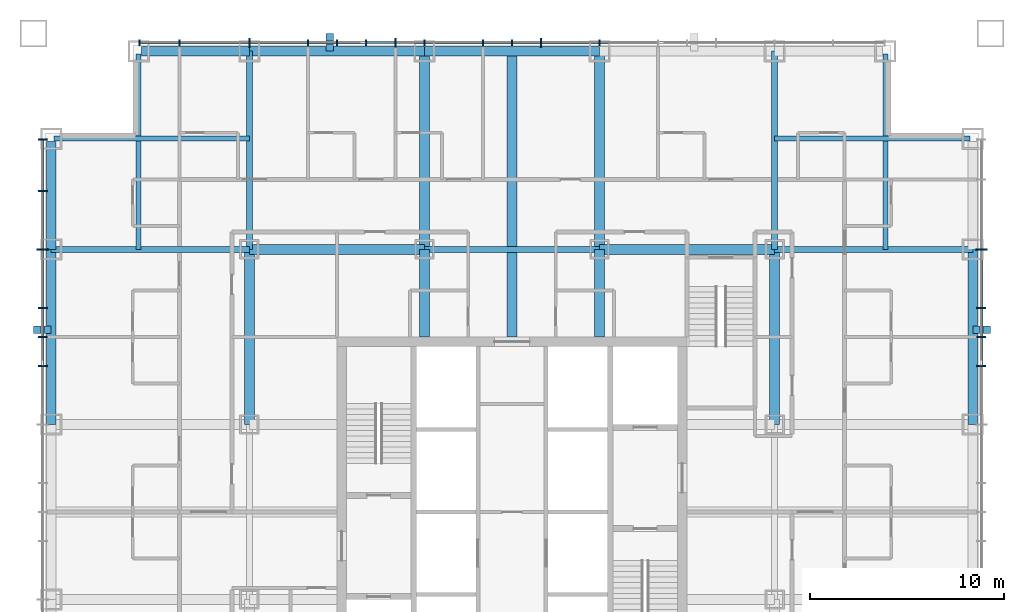
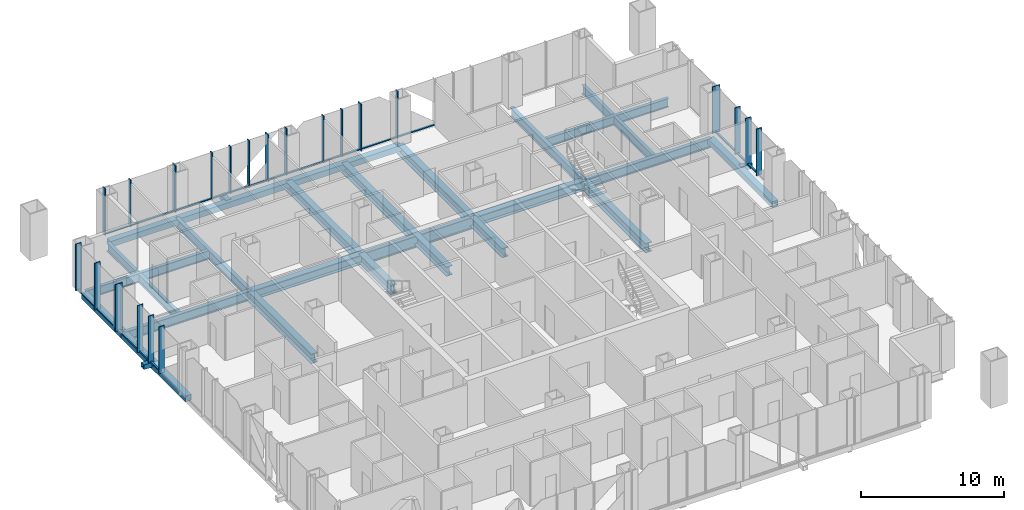
# One storey, part 5 of 18: 45 members, 24 beams, 3 elements without a shape of their own.
"""IFC4 building model written with IfcOpenShell, lengths in metres."""

import ifcopenshell
import ifcopenshell.guid

model = None  # the IFC model being written
_history = None  # IfcOwnerHistory: only IFC2X3 demands one
_inside = {}  # id of a spatial element -> (the spatial element, [elements in it])
_under = {}  # id of a project, library or spatial element -> (it, [spatial elements below it])
_declared = {}  # id of a project -> (the project, [libraries it declares])
_typed = {}  # id of a type object -> (the type object, [elements of that type])
_made_of = {}  # id of a material, layer set ... -> (it, [elements and type objects made of it])


def new_model(schema):
    """Start an empty IFC model of exactly this schema.

    Asked for "IFC4X3", IfcOpenShell would pick the latest addendum, in which some entities
    have other attributes; the version numbers below select the first issue.
    IFC2X3 requires an IfcOwnerHistory on every rooted entity: one is made here for all.
    """
    global model, _history
    if schema == "IFC4X3":
        model = ifcopenshell.file(schema_version=(4, 3, 0, 0))
    else:
        model = ifcopenshell.file(schema=schema)
    _inside.clear()
    _under.clear()
    _declared.clear()
    _typed.clear()
    _made_of.clear()
    _history = None
    if model.schema == "IFC2X3":
        org = make("IfcOrganization", Name="unknown")
        user = make(
            "IfcPersonAndOrganization",
            ThePerson=make("IfcPerson", FamilyName="unknown"),
            TheOrganization=org,
        )
        app = make(
            "IfcApplication",
            ApplicationDeveloper=org,
            Version="unknown",
            ApplicationFullName="unknown",
            ApplicationIdentifier="unknown",
        )
        _history = make(
            "IfcOwnerHistory",
            OwningUser=user,
            OwningApplication=app,
            ChangeAction="ADDED",
            CreationDate=0,
        )
    return model


def make(cls, **values):
    """One entity of the class cls with the attributes given. An attribute that is None is left unset."""
    return model.create_entity(
        cls, **{name: value for name, value in values.items() if value is not None}
    )


def rooted(cls, **values):
    """An entity with a GlobalId (a new one), such as an element, a storey or a relation."""
    return make(cls, GlobalId=ifcopenshell.guid.new(), OwnerHistory=_history, **values)


def si_unit(unit_type, name, prefix=None):
    """IfcSIUnit, for example si_unit("LENGTHUNIT", "METRE", prefix="MILLI")."""
    return make("IfcSIUnit", UnitType=unit_type, Prefix=prefix, Name=name)


def assignment(units):
    """IfcUnitAssignment: the units of a project."""
    return None if units is None else make("IfcUnitAssignment", Units=units)


def point(xyz):
    """IfcCartesianPoint."""
    return None if xyz is None else make("IfcCartesianPoint", Coordinates=xyz)


def direction(xyz):
    """IfcDirection."""
    return None if xyz is None else make("IfcDirection", DirectionRatios=xyz)


def frame(location, z_axis=None, x_axis=None):
    """IfcAxis2Placement3D, a coordinate frame: its origin and axes. An axis left out is left unset."""
    return make(
        "IfcAxis2Placement3D",
        Location=point(location),
        Axis=direction(z_axis),
        RefDirection=direction(x_axis),
    )


def frame_2d(location, x_axis=None):
    """IfcAxis2Placement2D, a coordinate frame in the plane: its origin and x axis."""
    return make(
        "IfcAxis2Placement2D", Location=point(location), RefDirection=direction(x_axis)
    )


def origin():
    """The frame at (0, 0, 0) with its axes left unset."""
    return frame((0.0, 0.0, 0.0))


def origin_2d():
    """The frame at (0, 0) in the plane with its x axis left unset."""
    return frame_2d((0.0, 0.0))


def place(relative_to, where):
    """IfcLocalPlacement: puts the frame where relative to a parent placement (None: the world)."""
    return make(
        "IfcLocalPlacement", PlacementRelTo=relative_to, RelativePlacement=where
    )


def context(
    kind, dimensions, precision=None, world=None, true_north=None, identifier=None
):
    """IfcGeometricRepresentationContext, for example the 3D "Model" context."""
    return make(
        "IfcGeometricRepresentationContext",
        ContextIdentifier=identifier,
        ContextType=kind,
        CoordinateSpaceDimension=dimensions,
        Precision=precision,
        WorldCoordinateSystem=world,
        TrueNorth=true_north,
    )


def subcontext(parent, identifier, kind, view, scale=None):
    """IfcGeometricRepresentationSubContext, for example "Body" below "Model"."""
    return make(
        "IfcGeometricRepresentationSubContext",
        ContextIdentifier=identifier,
        ContextType=kind,
        ParentContext=parent,
        TargetScale=scale,
        TargetView=view,
    )


def project(units=None, contexts=None):
    """IfcProject with its units and contexts."""
    return rooted(
        "IfcProject",
        Name="project",
        RepresentationContexts=contexts,
        UnitsInContext=assignment(units),
    )


def spatial(cls, under=None, at=None, **own):
    """A site, building, storey or space (cls), placed at a placement, below another one or the project."""
    s = rooted(cls, ObjectPlacement=at, **own)
    if under is not None:
        _under.setdefault(under.id(), (under, []))[1].append(s)
    return s


def profile(cls, at=None, kind="AREA", **sizes):
    """A parametric profile (cls). Its sizes go by their IFC names, for example OverallWidth=200.0."""
    return make(cls, ProfileType=kind, Position=at, **sizes)


def rectangle(**sizes):
    """IfcRectangleProfileDef."""
    return profile("IfcRectangleProfileDef", **sizes)


def hollow_rectangle(**sizes):
    """IfcRectangleHollowProfileDef."""
    return profile("IfcRectangleHollowProfileDef", **sizes)


def i_section(**sizes):
    """IfcIShapeProfileDef."""
    return profile("IfcIShapeProfileDef", **sizes)


def extrude(swept, where, along, depth):
    """IfcExtrudedAreaSolid: the profile swept, set in the frame where, extruded along a direction by depth."""
    return make(
        "IfcExtrudedAreaSolid",
        SweptArea=swept,
        Position=where,
        ExtrudedDirection=direction(along),
        Depth=depth,
    )


def shape(context_of_items, identifier, shape_type, items):
    """IfcShapeRepresentation: the items that make up one representation, for example the "Body"."""
    return make(
        "IfcShapeRepresentation",
        ContextOfItems=context_of_items,
        RepresentationIdentifier=identifier,
        RepresentationType=shape_type,
        Items=items,
    )


def material(Name=None, Category=None):
    """IfcMaterial."""
    return make("IfcMaterial", Name=Name, Category=Category)


def layer(
    of_material, thickness, ventilated=None, Name=None, Category=None, Priority=None
):
    """IfcMaterialLayer: one layer of a wall or slab, of a material (None: an air gap)."""
    return make(
        "IfcMaterialLayer",
        Material=of_material,
        LayerThickness=thickness,
        IsVentilated=ventilated,
        Name=Name,
        Category=Category,
        Priority=Priority,
    )


def layer_set(layers, Name=None):
    """IfcMaterialLayerSet."""
    return make("IfcMaterialLayerSet", MaterialLayers=layers, LayerSetName=Name)


def material_profile(
    of_material, cross_section, Name=None, Category=None, Priority=None
):
    """IfcMaterialProfile: a cross section and its material."""
    return make(
        "IfcMaterialProfile",
        Name=Name,
        Material=of_material,
        Profile=cross_section,
        Priority=Priority,
        Category=Category,
    )


def profile_set(profiles, Name=None, composite=None):
    """IfcMaterialProfileSet."""
    return make(
        "IfcMaterialProfileSet",
        Name=Name,
        MaterialProfiles=profiles,
        CompositeProfile=composite,
    )


def made_of(thing, what):
    """Note that an element or type object is made of a material, layer set ...; save() writes the relation."""
    if what is not None:
        _made_of.setdefault(what.id(), (what, []))[1].append(thing)
    return thing


def type_object(cls, material=None, **own):
    """A type object (cls), such as IfcWallType, which elements share."""
    return made_of(rooted(cls, **own), material)


def element(
    cls,
    number,
    at=None,
    inside=None,
    cuts=None,
    type_object=None,
    material=None,
    context=None,
    identifier="Body",
    shape_type=None,
    held_by="IfcProductDefinitionShape",
    body=None,
    shapes=None,
    **own,
):
    """One element of the class cls, such as IfcWall. Its Tag is "e" and its number.

    at: its placement. inside: the storey or other place that contains it. cuts: it is an
    opening in that element (IfcRelVoidsElement). A single representation is given by context,
    identifier, shape_type and body (its items); several are given by shapes. held_by: the class
    of the entity that holds the representations. save() writes the other relations.
    """
    e = rooted(cls, Tag="e%d" % number, ObjectPlacement=at, **own)
    if body is not None:
        shapes = [shape(context, identifier, shape_type, body)]
    if shapes is not None:
        e.Representation = make(held_by, Representations=shapes)
    if inside is not None:
        _inside.setdefault(inside.id(), (inside, []))[1].append(e)
    if cuts is not None:
        rooted(
            "IfcRelVoidsElement", RelatingBuildingElement=cuts, RelatedOpeningElement=e
        )
    if type_object is not None:
        _typed.setdefault(type_object.id(), (type_object, []))[1].append(e)
    return made_of(e, material)


def aggregate(whole, parts):
    """IfcRelAggregates: a whole, such as a stair, and the parts it consists of."""
    return rooted("IfcRelAggregates", RelatingObject=whole, RelatedObjects=parts)


def save(model, path):
    """Write the relations noted so far, then the file.

    IfcRelAggregates (storeys below a building ...), IfcRelContainedInSpatialStructure (elements
    in a storey), IfcRelDefinesByType, IfcRelAssociatesMaterial and IfcRelDeclares: one each for
    every whole, place, type object, material and project.
    """
    for whole, parts in _under.values():
        aggregate(whole, parts)
    for where, things in _inside.values():
        rooted(
            "IfcRelContainedInSpatialStructure",
            RelatedElements=things,
            RelatingStructure=where,
        )
    for kind, things in _typed.values():
        rooted("IfcRelDefinesByType", RelatedObjects=things, RelatingType=kind)
    for what, things in _made_of.values():
        rooted("IfcRelAssociatesMaterial", RelatedObjects=things, RelatingMaterial=what)
    for by, libraries in _declared.values():
        rooted("IfcRelDeclares", RelatingContext=by, RelatedDefinitions=libraries)
    model.write(path)


model = new_model("IFC4")

# Units and contexts
model_context = context("Model", 3, precision=1e-05, world=origin(), true_north=direction((0.0, 1.0)))
body_context = subcontext(model_context, "Body", "Model", "MODEL_VIEW")
ifc_project = project(units=[si_unit("LENGTHUNIT", "METRE"), si_unit("AREAUNIT", "SQUARE_METRE"), si_unit("VOLUMEUNIT", "CUBIC_METRE"), si_unit("PLANEANGLEUNIT", "RADIAN"), si_unit("MASSUNIT", "GRAM", prefix="KILO")], contexts=[model_context])

# Site, building, storey
site_placement = place(None, origin())
site = spatial("IfcSite", under=ifc_project, at=site_placement, CompositionType="ELEMENT")
building_placement = place(site_placement, origin())
building = spatial("IfcBuilding", under=site, at=building_placement, Name="Malebo Sky Hospital", CompositionType="ELEMENT")
storey_placement = place(building_placement, frame((0.0, 0.0, 112.0)))
storey = spatial("IfcBuildingStorey", under=building, at=storey_placement, Name="L26", CompositionType="ELEMENT", Elevation=112.0)

# Curtain wall, members
ifc_material_1 = material(Name="Anodised aluminium, natural silver", Category="aluminium")
ifc_layer_1 = layer(ifc_material_1, 0.25)
ifc_layer_set_1 = layer_set([ifc_layer_1], Name="WARD CURTAIN WALL NORTH AND SOUTH")
curtain_wall_type_1 = type_object("IfcCurtainWallType", Name="WARD CURTAIN WALL NORTH AND SOUTH", PredefinedType="NOTDEFINED", material=ifc_layer_set_1)
curtain_wall_1_placement = place(storey_placement, origin())
curtain_wall_1 = element("IfcCurtainWall", 1, at=curtain_wall_1_placement, inside=storey, type_object=curtain_wall_type_1, Name="NS curtain wall N", PredefinedType="NOTDEFINED")
ifc_material_profile_1 = material_profile(ifc_material_1, rectangle(XDim=0.14990234375, YDim=0.10009765625, at=origin_2d()), Name="ALUMINIUM TRANSOM 150x100")
ifc_profile_set_1 = profile_set([ifc_material_profile_1], Name="Anodised aluminium, natural silver")
member_type_1 = type_object("IfcMemberType", Name="ALUMINIUM TRANSOM 150x100", PredefinedType="USERDEFINED", material=ifc_profile_set_1)
member_1_placement = place(storey_placement, frame((40.875, 86.135009765625, 0.050048828125), z_axis=(1.0, 0.0, 0.0), x_axis=(0.0, 1.0, 0.0)))
member_1 = element("IfcMember", 2, at=member_1_placement, type_object=member_type_1, Name="Transom 1", ObjectType="TRANSOM", PredefinedType="USERDEFINED", context=body_context, shape_type="SweptSolid", body=[
    extrude(rectangle(XDim=0.14990234375, YDim=0.10009765625, at=origin_2d()), origin(), (0.0, 0.0, 1.0), 1.987548828125),
])
member_2_placement = place(storey_placement, frame((42.9375, 86.135009765625, 0.050048828125), z_axis=(1.0, 0.0, 0.0), x_axis=(0.0, 1.0, 0.0)))
member_2 = element("IfcMember", 3, at=member_2_placement, type_object=member_type_1, Name="Transom 2", ObjectType="TRANSOM", PredefinedType="USERDEFINED", context=body_context, shape_type="SweptSolid", body=[
    extrude(rectangle(XDim=0.14990234375, YDim=0.10009765625, at=origin_2d()), origin(), (0.0, 0.0, 1.0), 3.52490234375),
])
member_3_placement = place(storey_placement, frame((46.53759765625, 86.135009765625, 0.050048828125), z_axis=(1.0, 0.0, 0.0), x_axis=(0.0, 1.0, 0.0)))
member_3 = element("IfcMember", 4, at=member_3_placement, type_object=member_type_1, Name="Transom 3", ObjectType="TRANSOM", PredefinedType="USERDEFINED", context=body_context, shape_type="SweptSolid", body=[
    extrude(rectangle(XDim=0.14990234375, YDim=0.10009765625, at=origin_2d()), origin(), (0.0, 0.0, 1.0), 2.9248046875),
])
member_4_placement = place(storey_placement, frame((49.53759765625, 86.135009765625, 0.050048828125), z_axis=(1.0, 0.0, 0.0), x_axis=(0.0, 1.0, 0.0)))
member_4 = element("IfcMember", 5, at=member_4_placement, type_object=member_type_1, Name="Transom 4", ObjectType="TRANSOM", PredefinedType="USERDEFINED", context=body_context, shape_type="SweptSolid", body=[
    extrude(rectangle(XDim=0.14990234375, YDim=0.10009765625, at=origin_2d()), origin(), (0.0, 0.0, 1.0), 1.4248046875),
])
member_5_placement = place(storey_placement, frame((51.03759765625, 86.135009765625, 0.050048828125), z_axis=(1.0, 0.0, 0.0), x_axis=(0.0, 1.0, 0.0)))
member_5 = element("IfcMember", 6, at=member_5_placement, type_object=member_type_1, Name="Transom 5", ObjectType="TRANSOM", PredefinedType="USERDEFINED", context=body_context, shape_type="SweptSolid", body=[
    extrude(rectangle(XDim=0.14990234375, YDim=0.10009765625, at=origin_2d()), origin(), (0.0, 0.0, 1.0), 1.4248046875),
])
member_6_placement = place(storey_placement, frame((52.53759765625, 86.135009765625, 0.050048828125), z_axis=(1.0, 0.0, 0.0), x_axis=(0.0, 1.0, 0.0)))
member_6 = element("IfcMember", 7, at=member_6_placement, type_object=member_type_1, Name="Transom 6", ObjectType="TRANSOM", PredefinedType="USERDEFINED", context=body_context, shape_type="SweptSolid", body=[
    extrude(rectangle(XDim=0.14990234375, YDim=0.10009765625, at=origin_2d()), origin(), (0.0, 0.0, 1.0), 1.4248046875),
])
member_7_placement = place(storey_placement, frame((54.03759765625, 86.135009765625, 0.050048828125), z_axis=(1.0, 0.0, 0.0), x_axis=(0.0, 1.0, 0.0)))
member_7 = element("IfcMember", 8, at=member_7_placement, type_object=member_type_1, Name="Transom 7", ObjectType="TRANSOM", PredefinedType="USERDEFINED", context=body_context, shape_type="SweptSolid", body=[
    extrude(rectangle(XDim=0.14990234375, YDim=0.10009765625, at=origin_2d()), origin(), (0.0, 0.0, 1.0), 1.4248046875),
])
member_8_placement = place(storey_placement, frame((55.53759765625, 86.135009765625, 0.050048828125), z_axis=(1.0, 0.0, 0.0), x_axis=(0.0, 1.0, 0.0)))
member_8 = element("IfcMember", 9, at=member_8_placement, type_object=member_type_1, Name="Transom 8", ObjectType="TRANSOM", PredefinedType="USERDEFINED", context=body_context, shape_type="SweptSolid", body=[
    extrude(rectangle(XDim=0.14990234375, YDim=0.10009765625, at=origin_2d()), origin(), (0.0, 0.0, 1.0), 2.9248046875),
])
member_9_placement = place(storey_placement, frame((58.53759765625, 86.135009765625, 0.050048828125), z_axis=(1.0, 0.0, 0.0), x_axis=(0.0, 1.0, 0.0)))
member_9 = element("IfcMember", 10, at=member_9_placement, type_object=member_type_1, Name="Transom 9", ObjectType="TRANSOM", PredefinedType="USERDEFINED", context=body_context, shape_type="SweptSolid", body=[
    extrude(rectangle(XDim=0.14990234375, YDim=0.10009765625, at=origin_2d()), origin(), (0.0, 0.0, 1.0), 1.4248046875),
])
member_10_placement = place(storey_placement, frame((60.03759765625, 86.135009765625, 0.050048828125), z_axis=(1.0, 0.0, 0.0), x_axis=(0.0, 1.0, 0.0)))
member_10 = element("IfcMember", 11, at=member_10_placement, type_object=member_type_1, Name="Transom 10", ObjectType="TRANSOM", PredefinedType="USERDEFINED", context=body_context, shape_type="SweptSolid", body=[
    extrude(rectangle(XDim=0.14990234375, YDim=0.10009765625, at=origin_2d()), origin(), (0.0, 0.0, 1.0), 1.4248046875),
])
member_11_placement = place(storey_placement, frame((61.53759765625, 86.135009765625, 0.050048828125), z_axis=(1.0, 0.0, 0.0), x_axis=(0.0, 1.0, 0.0)))
member_11 = element("IfcMember", 12, at=member_11_placement, type_object=member_type_1, Name="Transom 11", ObjectType="TRANSOM", PredefinedType="USERDEFINED", context=body_context, shape_type="SweptSolid", body=[
    extrude(rectangle(XDim=0.14990234375, YDim=0.10009765625, at=origin_2d()), origin(), (0.0, 0.0, 1.0), 2.9248046875),
])
member_12_placement = place(storey_placement, frame((64.53759765625, 86.135009765625, 0.050048828125), z_axis=(1.0, 0.0, 0.0), x_axis=(0.0, 1.0, 0.0)))
member_12 = element("IfcMember", 13, at=member_12_placement, type_object=member_type_1, Name="Transom 12", ObjectType="TRANSOM", PredefinedType="USERDEFINED", context=body_context, shape_type="SweptSolid", body=[
    extrude(rectangle(XDim=0.14990234375, YDim=0.10009765625, at=origin_2d()), origin(), (0.0, 0.0, 1.0), 2.9248046875),
])

ifc_layer_2 = layer(ifc_material_1, 0.25)
ifc_layer_set_2 = layer_set([ifc_layer_2], Name="WARD CURTAIN WALL EAST AND WEST")
curtain_wall_type_2 = type_object("IfcCurtainWallType", Name="WARD CURTAIN WALL EAST AND WEST", PredefinedType="NOTDEFINED", material=ifc_layer_set_2)
curtain_wall_2_placement = place(storey_placement, origin())
curtain_wall_2 = element("IfcCurtainWall", 14, at=curtain_wall_2_placement, inside=storey, type_object=curtain_wall_type_2, Name="EW curtain wall W", PredefinedType="NOTDEFINED")
member_13_placement = place(storey_placement, frame((35.864990234375, 69.53759765625, 0.050048828125), z_axis=(0.0, 1.0, 0.0), x_axis=(-1.0, 0.0, 0.0)))
member_13 = element("IfcMember", 15, at=member_13_placement, type_object=member_type_1, Name="Transom 12", ObjectType="TRANSOM", PredefinedType="USERDEFINED", context=body_context, shape_type="SweptSolid", body=[
    extrude(rectangle(XDim=0.14990234375, YDim=0.10009765625, at=origin_2d()), origin(), (0.0, 0.0, 1.0), 1.4248046875),
])
member_14_placement = place(storey_placement, frame((35.864990234375, 71.03759765625, 0.050048828125), z_axis=(0.0, 1.0, 0.0), x_axis=(-1.0, 0.0, 0.0)))
member_14 = element("IfcMember", 16, at=member_14_placement, type_object=member_type_1, Name="Transom 13", ObjectType="TRANSOM", PredefinedType="USERDEFINED", context=body_context, shape_type="SweptSolid", body=[
    extrude(rectangle(XDim=0.14990234375, YDim=0.10009765625, at=origin_2d()), origin(), (0.0, 0.0, 1.0), 1.4248046875),
])
member_15_placement = place(storey_placement, frame((35.864990234375, 72.53759765625, 0.050048828125), z_axis=(0.0, 1.0, 0.0), x_axis=(-1.0, 0.0, 0.0)))
member_15 = element("IfcMember", 17, at=member_15_placement, type_object=member_type_1, Name="Transom 14", ObjectType="TRANSOM", PredefinedType="USERDEFINED", context=body_context, shape_type="SweptSolid", body=[
    extrude(rectangle(XDim=0.14990234375, YDim=0.10009765625, at=origin_2d()), origin(), (0.0, 0.0, 1.0), 2.9248046875),
])
member_16_placement = place(storey_placement, frame((35.864990234375, 75.53759765625, 0.050048828125), z_axis=(0.0, 1.0, 0.0), x_axis=(-1.0, 0.0, 0.0)))
member_16 = element("IfcMember", 18, at=member_16_placement, type_object=member_type_1, Name="Transom 15", ObjectType="TRANSOM", PredefinedType="USERDEFINED", context=body_context, shape_type="SweptSolid", body=[
    extrude(rectangle(XDim=0.14990234375, YDim=0.10009765625, at=origin_2d()), origin(), (0.0, 0.0, 1.0), 2.9248046875),
])
member_17_placement = place(storey_placement, frame((35.864990234375, 78.53759765625, 0.050048828125), z_axis=(0.0, 1.0, 0.0), x_axis=(-1.0, 0.0, 0.0)))
member_17 = element("IfcMember", 19, at=member_17_placement, type_object=member_type_1, Name="Transom 16", ObjectType="TRANSOM", PredefinedType="USERDEFINED", context=body_context, shape_type="SweptSolid", body=[
    extrude(rectangle(XDim=0.14990234375, YDim=0.10009765625, at=origin_2d()), origin(), (0.0, 0.0, 1.0), 2.58740234375),
])

curtain_wall_3_placement = place(storey_placement, origin())
curtain_wall_3 = element("IfcCurtainWall", 20, at=curtain_wall_3_placement, inside=storey, type_object=curtain_wall_type_2, Name="EW curtain wall E", PredefinedType="NOTDEFINED")
member_18_placement = place(storey_placement, frame((84.135009765625, 75.46240234375, 0.050048828125), z_axis=(0.0, -1.0, 0.0), x_axis=(1.0, 0.0, 0.0)))
member_18 = element("IfcMember", 21, at=member_18_placement, type_object=member_type_1, Name="Transom 3", ObjectType="TRANSOM", PredefinedType="USERDEFINED", context=body_context, shape_type="SweptSolid", body=[
    extrude(rectangle(XDim=0.14990234375, YDim=0.10009765625, at=origin_2d()), origin(), (0.0, 0.0, 1.0), 2.9248046875),
])
member_19_placement = place(storey_placement, frame((84.135009765625, 72.46240234375, 0.050048828125), z_axis=(0.0, -1.0, 0.0), x_axis=(1.0, 0.0, 0.0)))
member_19 = element("IfcMember", 22, at=member_19_placement, type_object=member_type_1, Name="Transom 4", ObjectType="TRANSOM", PredefinedType="USERDEFINED", context=body_context, shape_type="SweptSolid", body=[
    extrude(rectangle(XDim=0.14990234375, YDim=0.10009765625, at=origin_2d()), origin(), (0.0, 0.0, 1.0), 1.4248046875),
])
member_20_placement = place(storey_placement, frame((84.135009765625, 70.96240234375, 0.050048828125), z_axis=(0.0, -1.0, 0.0), x_axis=(1.0, 0.0, 0.0)))
member_20 = element("IfcMember", 23, at=member_20_placement, type_object=member_type_1, Name="Transom 5", ObjectType="TRANSOM", PredefinedType="USERDEFINED", context=body_context, shape_type="SweptSolid", body=[
    extrude(rectangle(XDim=0.14990234375, YDim=0.10009765625, at=origin_2d()), origin(), (0.0, 0.0, 1.0), 1.4248046875),
])

# Members
ifc_material_2 = material(Name="Steel S355", Category="steel")
ifc_material_profile_2 = material_profile(ifc_material_2, hollow_rectangle(XDim=0.39990234375, YDim=0.39990234375, WallThickness=0.02001953125, at=origin_2d()), Name="SHS 400x20")
ifc_profile_set_2 = profile_set([ifc_material_profile_2], Name="Steel S355")
member_type_2 = type_object("IfcMemberType", Name="BRACE STRUT SHS 400x20", PredefinedType="STRUT", material=ifc_profile_set_2)
for number, where, z_axis, x_axis, name in (
    (24, (50.627197265625, 86.60009765625, -0.39990234375), (0.0, -1.0, 0.0), (1.0, 0.0, 0.0), "Brace strut BN2 L26"),
    (25, (84.60009765625, 71.372802734375, -0.39990234375), (-1.0, 0.0, 0.0), (0.0, -1.0, 0.0), "Brace strut BE2 L26"),
    (26, (35.39990234375, 71.372802734375, -0.39990234375), (1.0, 0.0, 0.0), (0.0, 1.0, 0.0), "Brace strut BW1 L26"),
):
    element("IfcMember", number, at=place(storey_placement, frame(where, z_axis=z_axis, x_axis=x_axis)), inside=storey, type_object=member_type_2, Name=name, PredefinedType="STRUT", context=body_context, shape_type="SweptSolid", body=[
        extrude(hollow_rectangle(XDim=0.39990234375, YDim=0.39990234375, WallThickness=0.02001953125, at=origin_2d()), origin(), (0.0, 0.0, 1.0), 0.900146484375),
    ])

# Member
ifc_material_profile_3 = material_profile(ifc_material_1, rectangle(XDim=0.074951171875, YDim=0.300048828125, at=origin_2d()), Name="CW1 ALUMINIUM FIN MULLION 75x300")
ifc_profile_set_3 = profile_set([ifc_material_profile_3], Name="Anodised aluminium, natural silver")
member_type_3 = type_object("IfcMemberType", Name="CW1 ALUMINIUM FIN MULLION 75x300", PredefinedType="MULLION", material=ifc_profile_set_3)
member_21_placement = place(storey_placement, frame((40.83740234375, 86.135009765625, 0.0), z_axis=(0.0, 0.0, 1.0), x_axis=(1.0, 0.0, 0.0)))
member_21 = element("IfcMember", 27, at=member_21_placement, type_object=member_type_3, Name="Fin mullion 1", PredefinedType="MULLION", context=body_context, shape_type="SweptSolid", body=[
    extrude(rectangle(XDim=0.074951171875, YDim=0.300048828125, at=origin_2d()), origin(), (0.0, 0.0, 1.0), 4.0),
])

member_22_placement = place(storey_placement, frame((42.89990234375, 86.135009765625, 0.0), z_axis=(0.0, 0.0, 1.0), x_axis=(1.0, 0.0, 0.0)))
member_22 = element("IfcMember", 28, at=member_22_placement, type_object=member_type_3, Name="Fin mullion 2", PredefinedType="MULLION", context=body_context, shape_type="SweptSolid", body=[
    extrude(rectangle(XDim=0.074951171875, YDim=0.300048828125, at=origin_2d()), origin(), (0.0, 0.0, 1.0), 4.0),
])

member_23_placement = place(storey_placement, frame((49.5, 86.135009765625, 0.0), z_axis=(0.0, 0.0, 1.0), x_axis=(1.0, 0.0, 0.0)))
member_23 = element("IfcMember", 29, at=member_23_placement, type_object=member_type_3, Name="Fin mullion 4", PredefinedType="MULLION", context=body_context, shape_type="SweptSolid", body=[
    extrude(rectangle(XDim=0.074951171875, YDim=0.300048828125, at=origin_2d()), origin(), (0.0, 0.0, 1.0), 4.0),
])

member_24_placement = place(storey_placement, frame((51.0, 86.135009765625, 0.0), z_axis=(0.0, 0.0, 1.0), x_axis=(1.0, 0.0, 0.0)))
member_24 = element("IfcMember", 30, at=member_24_placement, type_object=member_type_3, Name="Fin mullion 5", PredefinedType="MULLION", context=body_context, shape_type="SweptSolid", body=[
    extrude(rectangle(XDim=0.074951171875, YDim=0.300048828125, at=origin_2d()), origin(), (0.0, 0.0, 1.0), 4.0),
])

member_25_placement = place(storey_placement, frame((52.5, 86.135009765625, 0.0), z_axis=(0.0, 0.0, 1.0), x_axis=(1.0, 0.0, 0.0)))
member_25 = element("IfcMember", 31, at=member_25_placement, type_object=member_type_3, Name="Fin mullion 6", PredefinedType="MULLION", context=body_context, shape_type="SweptSolid", body=[
    extrude(rectangle(XDim=0.074951171875, YDim=0.300048828125, at=origin_2d()), origin(), (0.0, 0.0, 1.0), 4.0),
])

member_26_placement = place(storey_placement, frame((55.5, 86.135009765625, 0.0), z_axis=(0.0, 0.0, 1.0), x_axis=(1.0, 0.0, 0.0)))
member_26 = element("IfcMember", 32, at=member_26_placement, type_object=member_type_3, Name="Fin mullion 8", PredefinedType="MULLION", context=body_context, shape_type="SweptSolid", body=[
    extrude(rectangle(XDim=0.074951171875, YDim=0.300048828125, at=origin_2d()), origin(), (0.0, 0.0, 1.0), 4.0),
])

member_27_placement = place(storey_placement, frame((58.5, 86.135009765625, 0.0), z_axis=(0.0, 0.0, 1.0), x_axis=(1.0, 0.0, 0.0)))
member_27 = element("IfcMember", 33, at=member_27_placement, type_object=member_type_3, Name="Fin mullion 9", PredefinedType="MULLION", context=body_context, shape_type="SweptSolid", body=[
    extrude(rectangle(XDim=0.074951171875, YDim=0.300048828125, at=origin_2d()), origin(), (0.0, 0.0, 1.0), 4.0),
])

member_28_placement = place(storey_placement, frame((60.0, 86.135009765625, 0.0), z_axis=(0.0, 0.0, 1.0), x_axis=(1.0, 0.0, 0.0)))
member_28 = element("IfcMember", 34, at=member_28_placement, type_object=member_type_3, Name="Fin mullion 10", PredefinedType="MULLION", context=body_context, shape_type="SweptSolid", body=[
    extrude(rectangle(XDim=0.074951171875, YDim=0.300048828125, at=origin_2d()), origin(), (0.0, 0.0, 1.0), 4.0),
])

member_29_placement = place(storey_placement, frame((64.5, 86.135009765625, 0.0), z_axis=(0.0, 0.0, 1.0), x_axis=(1.0, 0.0, 0.0)))
member_29 = element("IfcMember", 35, at=member_29_placement, type_object=member_type_3, Name="Fin mullion 12", PredefinedType="MULLION", context=body_context, shape_type="SweptSolid", body=[
    extrude(rectangle(XDim=0.074951171875, YDim=0.300048828125, at=origin_2d()), origin(), (0.0, 0.0, 1.0), 4.0),
])

ifc_material_profile_4 = material_profile(ifc_material_1, rectangle(XDim=0.074951171875, YDim=0.449951171875, at=origin_2d()), Name="CW1 ALUMINIUM FIN MULLION 75x450")
ifc_profile_set_4 = profile_set([ifc_material_profile_4], Name="Anodised aluminium, natural silver")
member_type_4 = type_object("IfcMemberType", Name="CW1 ALUMINIUM FIN MULLION 75x450", PredefinedType="MULLION", material=ifc_profile_set_4)
member_30_placement = place(storey_placement, frame((46.5, 86.135009765625, 0.0), z_axis=(0.0, 0.0, 1.0), x_axis=(1.0, 0.0, 0.0)))
member_30 = element("IfcMember", 36, at=member_30_placement, type_object=member_type_4, Name="Fin mullion 3", PredefinedType="MULLION", context=body_context, shape_type="SweptSolid", body=[
    extrude(rectangle(XDim=0.074951171875, YDim=0.449951171875, at=origin_2d()), origin(), (0.0, 0.0, 1.0), 4.0),
])

member_31_placement = place(storey_placement, frame((54.0, 86.135009765625, 0.0), z_axis=(0.0, 0.0, 1.0), x_axis=(1.0, 0.0, 0.0)))
member_31 = element("IfcMember", 37, at=member_31_placement, type_object=member_type_4, Name="Fin mullion 7", PredefinedType="MULLION", context=body_context, shape_type="SweptSolid", body=[
    extrude(rectangle(XDim=0.074951171875, YDim=0.449951171875, at=origin_2d()), origin(), (0.0, 0.0, 1.0), 4.0),
])

member_32_placement = place(storey_placement, frame((61.5, 86.135009765625, 0.0), z_axis=(0.0, 0.0, 1.0), x_axis=(1.0, 0.0, 0.0)))
member_32 = element("IfcMember", 38, at=member_32_placement, type_object=member_type_4, Name="Fin mullion 11", PredefinedType="MULLION", context=body_context, shape_type="SweptSolid", body=[
    extrude(rectangle(XDim=0.074951171875, YDim=0.449951171875, at=origin_2d()), origin(), (0.0, 0.0, 1.0), 4.0),
])

aggregate(curtain_wall_1, [member_21, member_22, member_30, member_23, member_24, member_25, member_31, member_26, member_27, member_28, member_32, member_29, member_1, member_2, member_3, member_4, member_5, member_6, member_7, member_8, member_9, member_10, member_11, member_12])

ifc_material_profile_5 = material_profile(ifc_material_1, rectangle(XDim=0.074951171875, YDim=0.449951171875, at=origin_2d()), Name="CW2 ALUMINIUM FIN MULLION 75x450")
ifc_profile_set_5 = profile_set([ifc_material_profile_5], Name="Anodised aluminium, natural silver")
member_type_5 = type_object("IfcMemberType", Name="CW2 ALUMINIUM FIN MULLION 75x450", PredefinedType="MULLION", material=ifc_profile_set_5)
member_33_placement = place(storey_placement, frame((35.864990234375, 69.5, 0.0), z_axis=(0.0, 0.0, 1.0), x_axis=(0.0, 1.0, 0.0)))
member_33 = element("IfcMember", 39, at=member_33_placement, type_object=member_type_5, Name="Fin mullion 12", PredefinedType="MULLION", context=body_context, shape_type="SweptSolid", body=[
    extrude(rectangle(XDim=0.074951171875, YDim=0.449951171875, at=origin_2d()), origin(), (0.0, 0.0, 1.0), 4.0),
])

member_34_placement = place(storey_placement, frame((35.864990234375, 71.0, 0.0), z_axis=(0.0, 0.0, 1.0), x_axis=(0.0, 1.0, 0.0)))
member_34 = element("IfcMember", 40, at=member_34_placement, type_object=member_type_5, Name="Fin mullion 13", PredefinedType="MULLION", context=body_context, shape_type="SweptSolid", body=[
    extrude(rectangle(XDim=0.074951171875, YDim=0.449951171875, at=origin_2d()), origin(), (0.0, 0.0, 1.0), 4.0),
])

member_35_placement = place(storey_placement, frame((35.864990234375, 72.5, 0.0), z_axis=(0.0, 0.0, 1.0), x_axis=(0.0, 1.0, 0.0)))
member_35 = element("IfcMember", 41, at=member_35_placement, type_object=member_type_5, Name="Fin mullion 14", PredefinedType="MULLION", context=body_context, shape_type="SweptSolid", body=[
    extrude(rectangle(XDim=0.074951171875, YDim=0.449951171875, at=origin_2d()), origin(), (0.0, 0.0, 1.0), 4.0),
])

member_36_placement = place(storey_placement, frame((35.864990234375, 78.5, 0.0), z_axis=(0.0, 0.0, 1.0), x_axis=(0.0, 1.0, 0.0)))
member_36 = element("IfcMember", 42, at=member_36_placement, type_object=member_type_5, Name="Fin mullion 16", PredefinedType="MULLION", context=body_context, shape_type="SweptSolid", body=[
    extrude(rectangle(XDim=0.074951171875, YDim=0.449951171875, at=origin_2d()), origin(), (0.0, 0.0, 1.0), 4.0),
])

member_37_placement = place(storey_placement, frame((35.864990234375, 81.16259765625, 0.0), z_axis=(0.0, 0.0, 1.0), x_axis=(0.0, 1.0, 0.0)))
member_37 = element("IfcMember", 43, at=member_37_placement, type_object=member_type_5, Name="Fin mullion 17", PredefinedType="MULLION", context=body_context, shape_type="SweptSolid", body=[
    extrude(rectangle(XDim=0.074951171875, YDim=0.449951171875, at=origin_2d()), origin(), (0.0, 0.0, 1.0), 4.0),
])

member_38_placement = place(storey_placement, frame((84.135009765625, 72.5, 0.0), z_axis=(0.0, 0.0, 1.0), x_axis=(0.0, -1.0, 0.0)))
member_38 = element("IfcMember", 44, at=member_38_placement, type_object=member_type_5, Name="Fin mullion 4", PredefinedType="MULLION", context=body_context, shape_type="SweptSolid", body=[
    extrude(rectangle(XDim=0.074951171875, YDim=0.449951171875, at=origin_2d()), origin(), (0.0, 0.0, 1.0), 4.0),
])

member_39_placement = place(storey_placement, frame((84.135009765625, 71.0, 0.0), z_axis=(0.0, 0.0, 1.0), x_axis=(0.0, -1.0, 0.0)))
member_39 = element("IfcMember", 45, at=member_39_placement, type_object=member_type_5, Name="Fin mullion 5", PredefinedType="MULLION", context=body_context, shape_type="SweptSolid", body=[
    extrude(rectangle(XDim=0.074951171875, YDim=0.449951171875, at=origin_2d()), origin(), (0.0, 0.0, 1.0), 4.0),
])

member_40_placement = place(storey_placement, frame((84.135009765625, 69.5, 0.0), z_axis=(0.0, 0.0, 1.0), x_axis=(0.0, -1.0, 0.0)))
member_40 = element("IfcMember", 46, at=member_40_placement, type_object=member_type_5, Name="Fin mullion 6", PredefinedType="MULLION", context=body_context, shape_type="SweptSolid", body=[
    extrude(rectangle(XDim=0.074951171875, YDim=0.449951171875, at=origin_2d()), origin(), (0.0, 0.0, 1.0), 4.0),
])

ifc_material_profile_6 = material_profile(ifc_material_1, rectangle(XDim=0.074951171875, YDim=0.60009765625, at=origin_2d()), Name="CW2 ALUMINIUM FIN MULLION 75x600")
ifc_profile_set_6 = profile_set([ifc_material_profile_6], Name="Anodised aluminium, natural silver")
member_type_6 = type_object("IfcMemberType", Name="CW2 ALUMINIUM FIN MULLION 75x600", PredefinedType="MULLION", material=ifc_profile_set_6)
member_41_placement = place(storey_placement, frame((35.864990234375, 75.5, 0.0), z_axis=(0.0, 0.0, 1.0), x_axis=(0.0, 1.0, 0.0)))
member_41 = element("IfcMember", 47, at=member_41_placement, type_object=member_type_6, Name="Fin mullion 15", PredefinedType="MULLION", context=body_context, shape_type="SweptSolid", body=[
    extrude(rectangle(XDim=0.074951171875, YDim=0.60009765625, at=origin_2d()), origin(), (0.0, 0.0, 1.0), 4.0),
])

aggregate(curtain_wall_2, [member_33, member_34, member_35, member_41, member_36, member_37, member_13, member_14, member_15, member_16, member_17])

member_42_placement = place(storey_placement, frame((84.135009765625, 75.5, 0.0), z_axis=(0.0, 0.0, 1.0), x_axis=(0.0, -1.0, 0.0)))
member_42 = element("IfcMember", 48, at=member_42_placement, type_object=member_type_6, Name="Fin mullion 3", PredefinedType="MULLION", context=body_context, shape_type="SweptSolid", body=[
    extrude(rectangle(XDim=0.074951171875, YDim=0.60009765625, at=origin_2d()), origin(), (0.0, 0.0, 1.0), 4.0),
])

aggregate(curtain_wall_3, [member_42, member_38, member_39, member_40, member_18, member_19, member_20])

# Beams
ifc_material_3 = material(Name="Steel S460", Category="steel")
ifc_material_profile_7 = material_profile(ifc_material_3, hollow_rectangle(XDim=0.5, YDim=0.5, WallThickness=0.030029296875, at=origin_2d()), Name="BOX 500x500x30")
ifc_profile_set_7 = profile_set([ifc_material_profile_7], Name="Steel S460")
beam_type_1 = type_object("IfcBeamType", Name="EDGE BEAM BOX 500x500x30", PredefinedType="BEAM", material=ifc_profile_set_7)
beam_1_placement = place(storey_placement, frame((36.300048828125, 66.5, -0.5), z_axis=(0.0, 1.0, 0.0), x_axis=(-1.0, 0.0, 0.0)))
element("IfcBeam", 49, at=beam_1_placement, inside=storey, type_object=beam_type_1, Name="Beam 003 L26", PredefinedType="BEAM", context=body_context, shape_type="SweptSolid", body=[
    extrude(hollow_rectangle(XDim=0.5, YDim=0.5, WallThickness=0.030029296875, at=origin_2d()), origin(), (0.0, 0.0, 1.0), 9.0),
])
beam_2_placement = place(storey_placement, frame((36.300048828125, 75.5, -0.5), z_axis=(0.0, 1.0, 0.0), x_axis=(-1.0, 0.0, 0.0)))
element("IfcBeam", 50, at=beam_2_placement, inside=storey, type_object=beam_type_1, Name="Beam 004 L26", PredefinedType="BEAM", context=body_context, shape_type="SweptSolid", body=[
    extrude(hollow_rectangle(XDim=0.5, YDim=0.5, WallThickness=0.030029296875, at=origin_2d()), origin(), (0.0, 0.0, 1.0), 5.550048828125),
])
beam_3_placement = place(storey_placement, frame((83.699951171875, 66.5, -0.5), z_axis=(0.0, 1.0, 0.0), x_axis=(-1.0, 0.0, 0.0)))
element("IfcBeam", 51, at=beam_3_placement, inside=storey, type_object=beam_type_1, Name="Beam 032 L26", PredefinedType="BEAM", context=body_context, shape_type="SweptSolid", body=[
    extrude(hollow_rectangle(XDim=0.5, YDim=0.5, WallThickness=0.030029296875, at=origin_2d()), origin(), (0.0, 0.0, 1.0), 9.0),
])
beam_4_placement = place(storey_placement, frame((40.949951171875, 85.699951171875, -0.5), z_axis=(1.0, 0.0, 0.0), x_axis=(0.0, 1.0, 0.0)))
element("IfcBeam", 52, at=beam_4_placement, inside=storey, type_object=beam_type_1, Name="Beam 063 L26", PredefinedType="BEAM", context=body_context, shape_type="SweptSolid", body=[
    extrude(hollow_rectangle(XDim=0.5, YDim=0.5, WallThickness=0.030029296875, at=origin_2d()), origin(), (0.0, 0.0, 1.0), 5.550048828125),
])
for number, where, z_axis, x_axis, name in (
    (53, (46.5, 85.699951171875, -0.5), (1.0, 0.0, 0.0), (0.0, 1.0, 0.0), "Beam 064 L26"),
    (54, (55.5, 85.699951171875, -0.5), (1.0, 0.0, 0.0), (0.0, 1.0, 0.0), "Beam 065 L26"),
):
    element("IfcBeam", number, at=place(storey_placement, frame(where, z_axis=z_axis, x_axis=x_axis)), inside=storey, type_object=beam_type_1, Name=name, PredefinedType="BEAM", context=body_context, shape_type="SweptSolid", body=[
        extrude(hollow_rectangle(XDim=0.5, YDim=0.5, WallThickness=0.030029296875, at=origin_2d()), origin(), (0.0, 0.0, 1.0), 9.0),
    ])
ifc_material_profile_8 = material_profile(ifc_material_2, i_section(OverallWidth=0.262939453125, OverallDepth=0.7529296875, WebThickness=0.011474609375, FlangeThickness=0.01708984375, FilletRadius=0.01708984375, at=origin_2d()), Name="IPE 750x137")
ifc_profile_set_8 = profile_set([ifc_material_profile_8], Name="Steel S355")
beam_type_2 = type_object("IfcBeamType", Name="FLOOR BEAM IPE 750x137", PredefinedType="BEAM", material=ifc_profile_set_8)
for number, where, z_axis, x_axis, name in (
    (55, (40.800048828125, 75.5, -0.62646484375), (0.0, 1.0, 0.0), (-1.0, 0.0, 0.0), "Beam 006 L26"),
    (56, (79.199951171875, 75.5, -0.62646484375), (0.0, 1.0, 0.0), (-1.0, 0.0, 0.0), "Beam 028 L26"),
    (57, (36.449951171875, 81.199951171875, -0.62646484375), (1.0, 0.0, 0.0), (0.0, 1.0, 0.0), "Beam 061 L26"),
    (58, (73.5, 81.199951171875, -0.62646484375), (1.0, 0.0, 0.0), (0.0, 1.0, 0.0), "Beam 062 L26"),
):
    element("IfcBeam", number, at=place(storey_placement, frame(where, z_axis=z_axis, x_axis=x_axis)), inside=storey, type_object=beam_type_2, Name=name, PredefinedType="BEAM", context=body_context, shape_type="SweptSolid", body=[
        extrude(i_section(OverallWidth=0.262939453125, OverallDepth=0.7529296875, WebThickness=0.011474609375, FlangeThickness=0.01708984375, FilletRadius=0.01708984375, at=origin_2d()), origin(), (0.0, 0.0, 1.0), 10.050048828125),
    ])
ifc_material_profile_9 = material_profile(ifc_material_2, i_section(OverallWidth=0.5, OverallDepth=0.800048828125, WebThickness=0.030029296875, FlangeThickness=0.050048828125, at=origin_2d()), Name="PG 800x500x30x50")
ifc_profile_set_9 = profile_set([ifc_material_profile_9], Name="Steel S355")
beam_type_3 = type_object("IfcBeamType", Name="FLOOR BEAM PG 800x500x30x50", PredefinedType="BEAM", material=ifc_profile_set_9)
beam_5_placement = place(storey_placement, frame((46.5, 66.5, -0.64990234375), z_axis=(0.0, 1.0, 0.0), x_axis=(-1.0, 0.0, 0.0)))
element("IfcBeam", 59, at=beam_5_placement, inside=storey, type_object=beam_type_3, Name="Beam 010 L26", PredefinedType="BEAM", context=body_context, shape_type="SweptSolid", body=[
    extrude(i_section(OverallWidth=0.5, OverallDepth=0.800048828125, WebThickness=0.030029296875, FlangeThickness=0.050048828125, at=origin_2d()), origin(), (0.0, 0.0, 1.0), 9.0),
])
beam_6_placement = place(storey_placement, frame((55.5, 71.0, -0.64990234375), z_axis=(0.0, 1.0, 0.0), x_axis=(-1.0, 0.0, 0.0)))
element("IfcBeam", 60, at=beam_6_placement, inside=storey, type_object=beam_type_3, Name="Beam 014 L26", PredefinedType="BEAM", context=body_context, shape_type="SweptSolid", body=[
    extrude(i_section(OverallWidth=0.5, OverallDepth=0.800048828125, WebThickness=0.030029296875, FlangeThickness=0.050048828125, at=origin_2d()), origin(), (0.0, 0.0, 1.0), 4.5),
])
beam_7_placement = place(storey_placement, frame((55.5, 75.5, -0.64990234375), z_axis=(0.0, 1.0, 0.0), x_axis=(-1.0, 0.0, 0.0)))
element("IfcBeam", 61, at=beam_7_placement, inside=storey, type_object=beam_type_3, Name="Beam 015 L26", PredefinedType="BEAM", context=body_context, shape_type="SweptSolid", body=[
    extrude(i_section(OverallWidth=0.5, OverallDepth=0.800048828125, WebThickness=0.030029296875, FlangeThickness=0.050048828125, at=origin_2d()), origin(), (0.0, 0.0, 1.0), 10.199951171875),
])
beam_8_placement = place(storey_placement, frame((60.0, 71.0, -0.64990234375), z_axis=(0.0, 1.0, 0.0), x_axis=(-1.0, 0.0, 0.0)))
element("IfcBeam", 62, at=beam_8_placement, inside=storey, type_object=beam_type_3, Name="Beam 017 L26", PredefinedType="BEAM", context=body_context, shape_type="SweptSolid", body=[
    extrude(i_section(OverallWidth=0.5, OverallDepth=0.800048828125, WebThickness=0.030029296875, FlangeThickness=0.050048828125, at=origin_2d()), origin(), (0.0, 0.0, 1.0), 14.699951171875),
])
beam_9_placement = place(storey_placement, frame((64.5, 71.0, -0.64990234375), z_axis=(0.0, 1.0, 0.0), x_axis=(-1.0, 0.0, 0.0)))
element("IfcBeam", 63, at=beam_9_placement, inside=storey, type_object=beam_type_3, Name="Beam 020 L26", PredefinedType="BEAM", context=body_context, shape_type="SweptSolid", body=[
    extrude(i_section(OverallWidth=0.5, OverallDepth=0.800048828125, WebThickness=0.030029296875, FlangeThickness=0.050048828125, at=origin_2d()), origin(), (0.0, 0.0, 1.0), 4.5),
])
beam_10_placement = place(storey_placement, frame((64.5, 75.5, -0.64990234375), z_axis=(0.0, 1.0, 0.0), x_axis=(-1.0, 0.0, 0.0)))
element("IfcBeam", 64, at=beam_10_placement, inside=storey, type_object=beam_type_3, Name="Beam 021 L26", PredefinedType="BEAM", context=body_context, shape_type="SweptSolid", body=[
    extrude(i_section(OverallWidth=0.5, OverallDepth=0.800048828125, WebThickness=0.030029296875, FlangeThickness=0.050048828125, at=origin_2d()), origin(), (0.0, 0.0, 1.0), 10.199951171875),
])
for number, where, z_axis, x_axis, name in (
    (65, (73.5, 66.5, -0.64990234375), (0.0, 1.0, 0.0), (-1.0, 0.0, 0.0), "Beam 025 L26"),
    (66, (46.5, 75.5, -0.64990234375), (1.0, 0.0, 0.0), (0.0, 1.0, 0.0), "Beam 057 L26"),
    (67, (64.5, 75.5, -0.64990234375), (1.0, 0.0, 0.0), (0.0, 1.0, 0.0), "Beam 059 L26"),
):
    element("IfcBeam", number, at=place(storey_placement, frame(where, z_axis=z_axis, x_axis=x_axis)), inside=storey, type_object=beam_type_3, Name=name, PredefinedType="BEAM", context=body_context, shape_type="SweptSolid", body=[
        extrude(i_section(OverallWidth=0.5, OverallDepth=0.800048828125, WebThickness=0.030029296875, FlangeThickness=0.050048828125, at=origin_2d()), origin(), (0.0, 0.0, 1.0), 9.0),
    ])
ifc_material_profile_10 = material_profile(ifc_material_2, i_section(OverallWidth=0.300048828125, OverallDepth=0.800048828125, WebThickness=0.017578125, FlangeThickness=0.032958984375, FilletRadius=0.030029296875, at=origin_2d()), Name="HEB 800")
ifc_profile_set_10 = profile_set([ifc_material_profile_10], Name="Steel S355")
beam_type_4 = type_object("IfcBeamType", Name="FLOOR GIRDER HEB 800", PredefinedType="BEAM", material=ifc_profile_set_10)
for number, where, z_axis, x_axis, name in (
    (68, (46.5, 75.5, -0.64990234375), (0.0, 1.0, 0.0), (-1.0, 0.0, 0.0), "Beam 011 L26"),
    (69, (73.5, 75.5, -0.64990234375), (0.0, 1.0, 0.0), (-1.0, 0.0, 0.0), "Beam 026 L26"),
    (70, (36.300048828125, 75.5, -0.64990234375), (1.0, 0.0, 0.0), (0.0, 1.0, 0.0), "Beam 056 L26"),
    (71, (73.5, 75.5, -0.64990234375), (1.0, 0.0, 0.0), (0.0, 1.0, 0.0), "Beam 060 L26"),
):
    element("IfcBeam", number, at=place(storey_placement, frame(where, z_axis=z_axis, x_axis=x_axis)), inside=storey, type_object=beam_type_4, Name=name, PredefinedType="BEAM", context=body_context, shape_type="SweptSolid", body=[
        extrude(i_section(OverallWidth=0.300048828125, OverallDepth=0.800048828125, WebThickness=0.017578125, FlangeThickness=0.032958984375, FilletRadius=0.030029296875, at=origin_2d()), origin(), (0.0, 0.0, 1.0), 10.199951171875),
    ])
ifc_material_profile_11 = material_profile(ifc_material_2, i_section(OverallWidth=0.300048828125, OverallDepth=1.0, WebThickness=0.01904296875, FlangeThickness=0.035888671875, FilletRadius=0.030029296875, at=origin_2d()), Name="HEB 1000")
ifc_profile_set_11 = profile_set([ifc_material_profile_11], Name="Steel S355")
beam_type_5 = type_object("IfcBeamType", Name="RING GIRDER HEB 1000", PredefinedType="BEAM", material=ifc_profile_set_11)
beam_11_placement = place(storey_placement, frame((55.5, 75.5, -0.75), z_axis=(1.0, 0.0, 0.0), x_axis=(0.0, 1.0, 0.0)))
element("IfcBeam", 72, at=beam_11_placement, inside=storey, type_object=beam_type_5, Name="Beam 058 L26", PredefinedType="BEAM", context=body_context, shape_type="SweptSolid", body=[
    extrude(i_section(OverallWidth=0.300048828125, OverallDepth=1.0, WebThickness=0.01904296875, FlangeThickness=0.035888671875, FilletRadius=0.030029296875, at=origin_2d()), origin(), (0.0, 0.0, 1.0), 9.0),
])

save(model, "model.ifc")
